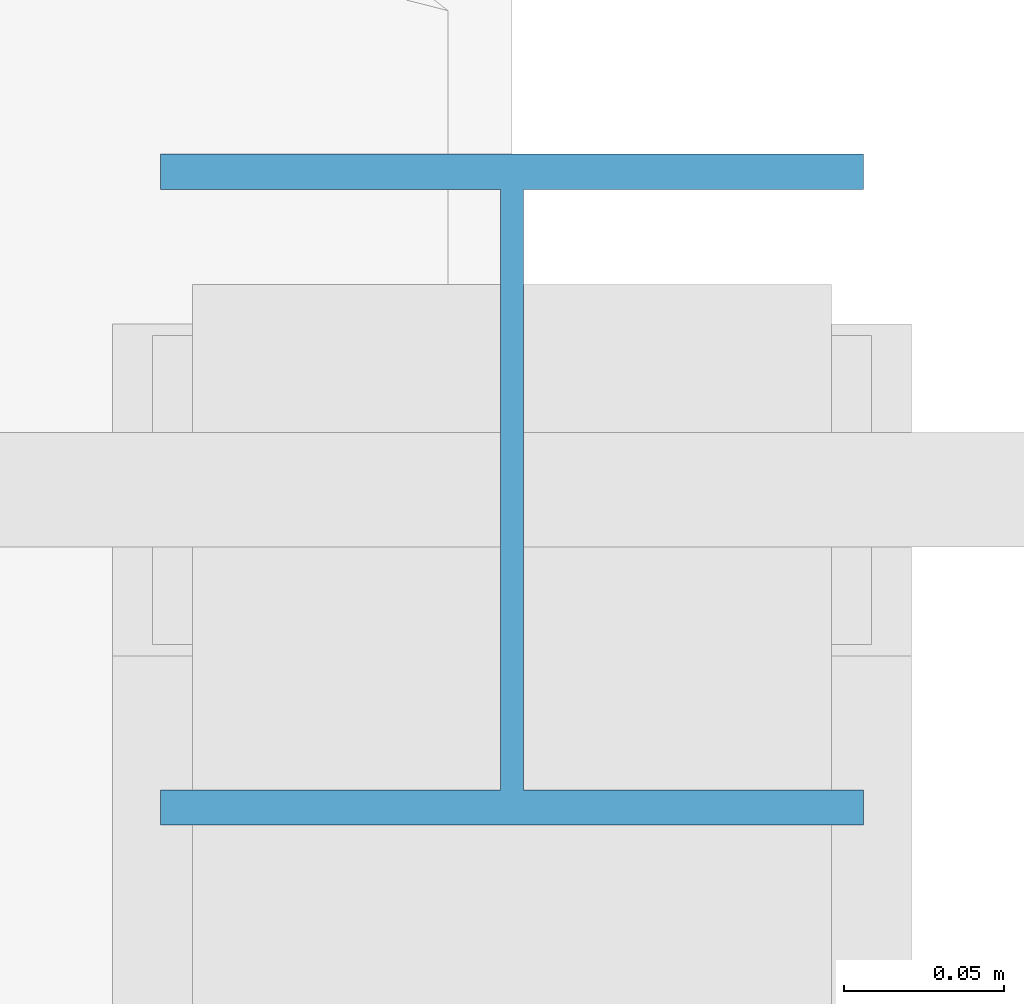
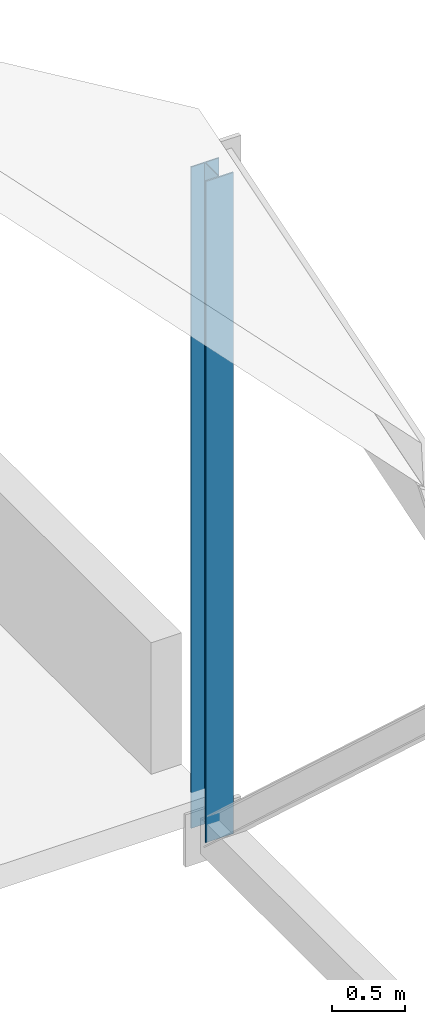
# One storey, part 70 of 142: 1 member.
"""IFC4 building model written with IfcOpenShell, lengths in metres."""

from ifc_helpers import new_model, si_unit, direction, frame, origin, origin_2d, place, context, subcontext, project, spatial, i_section, extrude, material, material_profile, profile_set, type_object, element, save


model = new_model("IFC4")

# Units and contexts
model_context = context("Model", 3, precision=1e-05, world=origin(), true_north=direction((0.0, 1.0)))
body_context = subcontext(model_context, "Body", "Model", "MODEL_VIEW")
ifc_project = project(units=[si_unit("LENGTHUNIT", "METRE"), si_unit("AREAUNIT", "SQUARE_METRE"), si_unit("VOLUMEUNIT", "CUBIC_METRE"), si_unit("PLANEANGLEUNIT", "RADIAN"), si_unit("MASSUNIT", "GRAM", prefix="KILO")], contexts=[model_context])

# Site, building, storey
site_placement = place(None, origin())
site = spatial("IfcSite", under=ifc_project, at=site_placement, CompositionType="ELEMENT")
building_placement = place(site_placement, origin())
building = spatial("IfcBuilding", under=site, at=building_placement, Name="Montelvaro Courts of Justice", CompositionType="ELEMENT")
storey_placement = place(building_placement, frame((0.0, 0.0, 14.39990234375)))
storey = spatial("IfcBuildingStorey", under=building, at=storey_placement, Name="L03", CompositionType="ELEMENT", Elevation=14.39990234375)

# Member
ifc_material = material(Name="Steel S355", Category="steel")
ifc_material_profile = material_profile(ifc_material, i_section(OverallWidth=0.219970703125, OverallDepth=0.2099609375, WebThickness=0.007080078125, FlangeThickness=0.010986328125, at=origin_2d()), Name="HEA 220")
ifc_profile_set = profile_set([ifc_material_profile], Name="Steel S355")
member_type = type_object("IfcMemberType", Name="Mem_HEA220_Post", PredefinedType="POST", material=ifc_profile_set)
member_placement = place(storey_placement, frame((80.949951171875, 96.0, -0.2998046875), z_axis=(0.0, 0.0, 1.0), x_axis=(1.0, 0.0, 0.0)))
element("IfcMember", 1, at=member_placement, inside=storey, type_object=member_type, Name="Roof Truss Post MP-03 ROOF-V1-VTR08-V4", PredefinedType="POST", context=body_context, shape_type="SweptSolid", body=[
    extrude(i_section(OverallWidth=0.219970703125, OverallDepth=0.2099609375, WebThickness=0.007080078125, FlangeThickness=0.010986328125, at=origin_2d()), origin(), (0.0, 0.0, 1.0), 5.52978515625),
])

save(model, "model.ifc")
